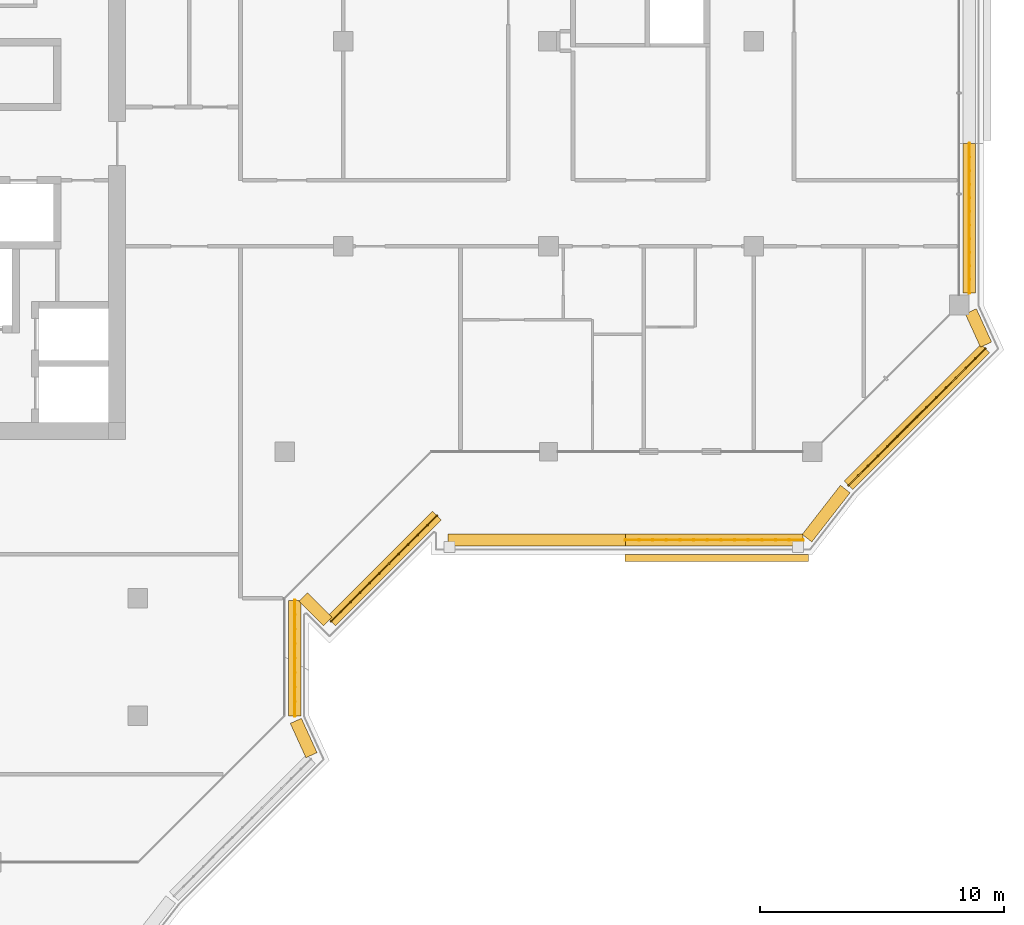
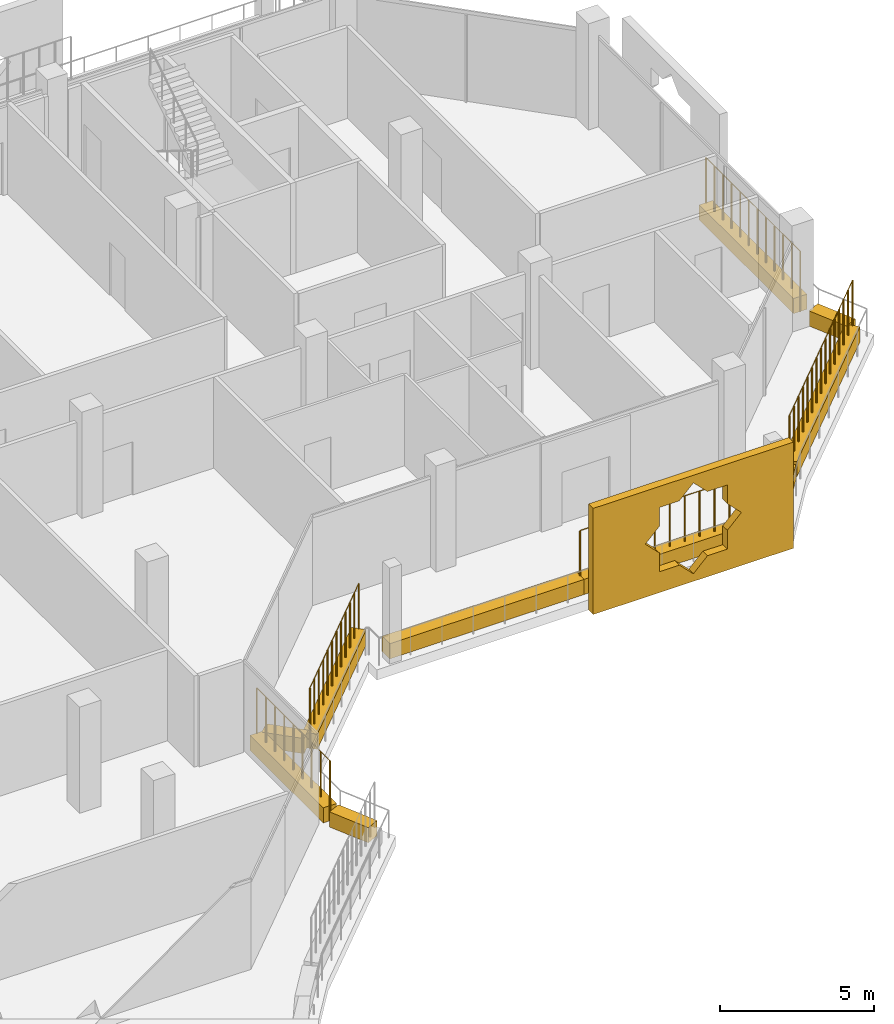
# One storey, part 18 of 21: 11 coverings, 5 railings.
"""IFC4 building model written with IfcOpenShell, lengths in metres."""

from ifc_helpers import new_model, si_unit, direction, frame, origin, origin_2d, place, context, subcontext, project, spatial, polyline, rectangle, circle, outline, extrude, material, material_profile, profile_set, type_object, element, save


model = new_model("IFC4")

# Units and contexts
model_context = context("Model", 3, precision=1e-05, world=origin(), true_north=direction((0.0, 1.0)))
body_context = subcontext(model_context, "Body", "Model", "MODEL_VIEW")
ifc_project = project(units=[si_unit("LENGTHUNIT", "METRE"), si_unit("AREAUNIT", "SQUARE_METRE"), si_unit("VOLUMEUNIT", "CUBIC_METRE"), si_unit("PLANEANGLEUNIT", "RADIAN"), si_unit("MASSUNIT", "GRAM", prefix="KILO")], contexts=[model_context])

# Site, building, storey
site_placement = place(None, origin())
site = spatial("IfcSite", under=ifc_project, at=site_placement, CompositionType="ELEMENT")
building_placement = place(site_placement, origin())
building = spatial("IfcBuilding", under=site, at=building_placement, Name="Kawkab Arch Medical Tower", CompositionType="ELEMENT")
storey_placement = place(building_placement, frame((0.0, 0.0, 315.39990234375)))
storey = spatial("IfcBuildingStorey", under=building, at=storey_placement, Name="L73", CompositionType="ELEMENT", Elevation=315.39990234375)

# Coverings
ifc_material_1 = material(Name="Bronze anodised aluminium mashrabiya panel, eight-point star pattern", Category="aluminium")
ifc_material_profile_1 = material_profile(ifc_material_1, outline(polyline([(-3.75, -2.10009765625), (3.75, -2.10009765625), (3.75, 2.10009765625), (-3.75, 2.10009765625), (-3.75, -2.10009765625)]), holes=[polyline([(1.800048828125, 0.0), (1.272705078125, 0.527099609375), (1.272705078125, 1.272705078125), (0.527099609375, 1.272705078125), (0.0, 1.800048828125), (-0.527099609375, 1.272705078125), (-1.272705078125, 1.272705078125), (-1.272705078125, 0.527099609375), (-1.800048828125, 0.0), (-1.272705078125, -0.527099609375), (-1.272705078125, -1.272705078125), (-0.527099609375, -1.272705078125), (0.0, -1.800048828125), (0.527099609375, -1.272705078125), (1.272705078125, -1.272705078125), (1.272705078125, -0.527099609375), (1.800048828125, 0.0)])]), Name="Mashrabiya panel 7500x4200")
ifc_profile_set_1 = profile_set([ifc_material_profile_1], Name="Bronze anodised aluminium mashrabiya panel, eight-point star pattern")
covering_type_1 = type_object("IfcCoveringType", Name="Mashrabiya panel 7500 x 4200", PredefinedType="USERDEFINED", material=ifc_profile_set_1)
covering_1_placement = place(storey_placement, frame((48.87890625, -29.39990234375, 1.7001953125), z_axis=(0.0, -1.0, 0.0), x_axis=(1.0, 0.0, 0.0)))
element("IfcCovering", 1, at=covering_1_placement, inside=storey, type_object=covering_type_1, Name="Mashrabiya panel L73.LOG-01-01.7", ObjectType="SCREEN", PredefinedType="USERDEFINED", context=body_context, shape_type="SweptSolid", body=[
    extrude(outline(polyline([(-3.75, -2.10009765625), (3.75, -2.10009765625), (3.75, 2.10009765625), (-3.75, 2.10009765625), (-3.75, -2.10009765625)]), holes=[polyline([(1.800048828125, 0.0), (1.272705078125, 0.527099609375), (1.272705078125, 1.272705078125), (0.527099609375, 1.272705078125), (0.0, 1.800048828125), (-0.527099609375, 1.272705078125), (-1.272705078125, 1.272705078125), (-1.272705078125, 0.527099609375), (-1.800048828125, 0.0), (-1.272705078125, -0.527099609375), (-1.272705078125, -1.272705078125), (-0.527099609375, -1.272705078125), (0.0, -1.800048828125), (0.527099609375, -1.272705078125), (1.272705078125, -1.272705078125), (1.272705078125, -0.527099609375), (1.800048828125, 0.0)])]), origin(), (0.0, 0.0, 1.0), 0.300048828125),
])
ifc_material_2 = material(Name="Planting soil in a precast trough", Category="concrete")
ifc_material_profile_2 = material_profile(ifc_material_2, rectangle(XDim=0.5, YDim=0.60009765625, at=origin_2d()), Name="Trough 500x600")
ifc_profile_set_2 = profile_set([ifc_material_profile_2], Name="Planting soil in a precast trough")
covering_type_2 = type_object("IfcCoveringType", Name="Planter trough 500 x 600", PredefinedType="USERDEFINED", material=ifc_profile_set_2)
covering_2_placement = place(storey_placement, frame((59.219970703125, -12.60009765625, 0.300048828125), z_axis=(0.0, -1.0, 0.0), x_axis=(1.0, 0.0, 0.0)))
element("IfcCovering", 2, at=covering_2_placement, inside=storey, type_object=covering_type_2, Name="Planter L73.LOG-01-01.23", ObjectType="PLANTER", PredefinedType="USERDEFINED", context=body_context, shape_type="SweptSolid", body=[
    extrude(rectangle(XDim=0.5, YDim=0.60009765625, at=origin_2d()), origin(), (0.0, 0.0, 1.0), 6.119873046875),
])
covering_3_placement = place(storey_placement, frame((59.280029296875, -19.4580078125, 0.300048828125), z_axis=(0.415189748133, -0.909734836667, 0.0), x_axis=(0.909734836667, 0.415189748133, 0.0)))
element("IfcCovering", 3, at=covering_3_placement, inside=storey, type_object=covering_type_2, Name="Planter L73.LOG-01-01.24", ObjectType="PLANTER", PredefinedType="USERDEFINED", context=body_context, shape_type="SweptSolid", body=[
    extrude(rectangle(XDim=0.5, YDim=0.60009765625, at=origin_2d()), origin(), (0.0, 0.0, 1.0), 1.498291015625),
])
covering_4_placement = place(storey_placement, frame((59.873046875, -20.98291015625, 0.300048828125), z_axis=(-0.707106781187, -0.707106781187, 0.0), x_axis=(0.707106781187, -0.707106781187, 0.0)))
element("IfcCovering", 4, at=covering_4_placement, inside=storey, type_object=covering_type_2, Name="Planter L73.LOG-01-01.25", ObjectType="PLANTER", PredefinedType="USERDEFINED", context=body_context, shape_type="SweptSolid", body=[
    extrude(rectangle(XDim=0.5, YDim=0.60009765625, at=origin_2d()), origin(), (0.0, 0.0, 1.0), 7.919677734375),
])
covering_5_placement = place(storey_placement, frame((54.14111328125, -26.73193359375, 0.300048828125), z_axis=(-0.614099956103, -0.789228258436, 0.0), x_axis=(0.789228258436, -0.614099956103, 0.0)))
element("IfcCovering", 5, at=covering_5_placement, inside=storey, type_object=covering_type_2, Name="Planter L73.LOG-01-01.26", ObjectType="PLANTER", PredefinedType="USERDEFINED", context=body_context, shape_type="SweptSolid", body=[
    extrude(rectangle(XDim=0.5, YDim=0.60009765625, at=origin_2d()), origin(), (0.0, 0.0, 1.0), 2.545654296875),
])
for number, where, z_axis, x_axis, name in (
    (6, (52.416015625, -28.820068359375, 0.300048828125), (-1.0, 0.0, 0.0), (0.0, -1.0, 0.0), "Planter L73.LOG-01-01.27"),
    (7, (45.14794921875, -28.820068359375, 0.300048828125), (-1.0, 0.0, 0.0), (0.0, -1.0, 0.0), "Planter L73.LOG-01-01.28"),
):
    element("IfcCovering", number, at=place(storey_placement, frame(where, z_axis=z_axis, x_axis=x_axis)), inside=storey, type_object=covering_type_2, Name=name, ObjectType="PLANTER", PredefinedType="USERDEFINED", context=body_context, shape_type="SweptSolid", body=[
        extrude(rectangle(XDim=0.5, YDim=0.60009765625, at=origin_2d()), origin(), (0.0, 0.0, 1.0), 7.26806640625),
    ])
covering_6_placement = place(storey_placement, frame((37.43701171875, -27.820068359375, 0.300048828125), z_axis=(-0.707206504313, -0.707007043994, 0.0), x_axis=(0.707007043994, -0.707206504313, 0.0)))
element("IfcCovering", 8, at=covering_6_placement, inside=storey, type_object=covering_type_2, Name="Planter L73.LOG-01-01.29", ObjectType="PLANTER", PredefinedType="USERDEFINED", context=body_context, shape_type="SweptSolid", body=[
    extrude(rectangle(XDim=0.5, YDim=0.60009765625, at=origin_2d()), origin(), (0.0, 0.0, 1.0), 6.1201171875),
])
covering_7_placement = place(storey_placement, frame((32.967041015625, -32.14697265625, 0.300048828125), z_axis=(-0.707192746389, 0.707020805532, 0.0), x_axis=(-0.707020805532, -0.707192746389, 0.0)))
element("IfcCovering", 9, at=covering_7_placement, inside=storey, type_object=covering_type_2, Name="Planter L73.LOG-01-01.30", ObjectType="PLANTER", PredefinedType="USERDEFINED", context=body_context, shape_type="SweptSolid", body=[
    extrude(rectangle(XDim=0.5, YDim=0.60009765625, at=origin_2d()), origin(), (0.0, 0.0, 1.0), 1.419921875),
])
covering_8_placement = place(storey_placement, frame((31.6201171875, -31.284912109375, 0.300048828125), z_axis=(0.0, -1.0, 0.0), x_axis=(1.0, 0.0, 0.0)))
element("IfcCovering", 10, at=covering_8_placement, inside=storey, type_object=covering_type_2, Name="Planter L73.LOG-01-01.31", ObjectType="PLANTER", PredefinedType="USERDEFINED", context=body_context, shape_type="SweptSolid", body=[
    extrude(rectangle(XDim=0.5, YDim=0.60009765625, at=origin_2d()), origin(), (0.0, 0.0, 1.0), 4.740966796875),
])
covering_9_placement = place(storey_placement, frame((31.660888671875, -36.217041015625, 0.300048828125), z_axis=(0.415363486165, -0.909655525109, 0.0), x_axis=(0.909655525109, 0.415363486165, 0.0)))
element("IfcCovering", 11, at=covering_9_placement, inside=storey, type_object=covering_type_2, Name="Planter L73.LOG-01-01.32", ObjectType="PLANTER", PredefinedType="USERDEFINED", context=body_context, shape_type="SweptSolid", body=[
    extrude(rectangle(XDim=0.5, YDim=0.60009765625, at=origin_2d()), origin(), (0.0, 0.0, 1.0), 1.54345703125),
])

# Railings
ifc_material_3 = material(Name="Bronze anodised aluminium trellis for climbing plants", Category="aluminium")
railing_type = type_object("IfcRailingType", Name="Planting trellis 2400", PredefinedType="USERDEFINED", material=ifc_material_3)
railing_1_placement = place(storey_placement, frame((59.219970703125, -12.60009765625, 0.0)))
element("IfcRailing", 12, at=railing_1_placement, inside=storey, type_object=railing_type, Name="Planting trellis L73.LOG-01-01.23", ObjectType="TRELLIS", PredefinedType="USERDEFINED", context=body_context, shape_type="SweptSolid", body=[
    extrude(circle(Radius=0.01513671875, at=origin_2d()), frame((0.0, 0.0, 2.384765625), z_axis=(0.0, -1.0, 0.0), x_axis=(1.0, 0.0, 0.0)), (0.0, 0.0, 1.0), 6.119873046875),
    extrude(circle(Radius=0.030029296875, at=origin_2d()), origin(), (0.0, 0.0, 1.0), 2.369873046875),
    extrude(circle(Radius=0.030029296875, at=origin_2d()), frame((0.0, -0.556396484375, 0.0)), (0.0, 0.0, 1.0), 2.369873046875),
    extrude(circle(Radius=0.030029296875, at=origin_2d()), frame((0.0, -1.11279296875, 0.0)), (0.0, 0.0, 1.0), 2.369873046875),
    extrude(circle(Radius=0.030029296875, at=origin_2d()), frame((0.0, -1.6689453125, 0.0)), (0.0, 0.0, 1.0), 2.369873046875),
    extrude(circle(Radius=0.030029296875, at=origin_2d()), frame((0.0, -2.225341796875, 0.0)), (0.0, 0.0, 1.0), 2.369873046875),
    extrude(circle(Radius=0.030029296875, at=origin_2d()), frame((0.0, -2.78173828125, 0.0)), (0.0, 0.0, 1.0), 2.369873046875),
    extrude(circle(Radius=0.030029296875, at=origin_2d()), frame((0.0, -3.338134765625, 0.0)), (0.0, 0.0, 1.0), 2.369873046875),
    extrude(circle(Radius=0.030029296875, at=origin_2d()), frame((0.0, -3.89453125, 0.0)), (0.0, 0.0, 1.0), 2.369873046875),
    extrude(circle(Radius=0.030029296875, at=origin_2d()), frame((0.0, -4.450927734375, 0.0)), (0.0, 0.0, 1.0), 2.369873046875),
    extrude(circle(Radius=0.030029296875, at=origin_2d()), frame((0.0, -5.007080078125, 0.0)), (0.0, 0.0, 1.0), 2.369873046875),
    extrude(circle(Radius=0.030029296875, at=origin_2d()), frame((0.0, -5.5634765625, 0.0)), (0.0, 0.0, 1.0), 2.369873046875),
    extrude(circle(Radius=0.030029296875, at=origin_2d()), frame((0.0, -6.119873046875, 0.0)), (0.0, 0.0, 1.0), 2.369873046875),
])
railing_2_placement = place(storey_placement, frame((59.873046875, -20.98291015625, 0.0)))
element("IfcRailing", 13, at=railing_2_placement, inside=storey, type_object=railing_type, Name="Planting trellis L73.LOG-01-01.25", ObjectType="TRELLIS", PredefinedType="USERDEFINED", context=body_context, shape_type="SweptSolid", body=[
    extrude(circle(Radius=0.01513671875, at=origin_2d()), frame((0.0, 0.0, 2.384765625), z_axis=(-0.707106781187, -0.707106781187, 0.0), x_axis=(0.707106781187, -0.707106781187, 0.0)), (0.0, 0.0, 1.0), 7.919677734375),
    extrude(circle(Radius=0.030029296875, at=origin_2d()), origin(), (0.0, 0.0, 1.0), 2.369873046875),
    extrude(circle(Radius=0.030029296875, at=origin_2d()), frame((-0.39990234375, -0.39990234375, 0.0)), (0.0, 0.0, 1.0), 2.369873046875),
    extrude(circle(Radius=0.030029296875, at=origin_2d()), frame((-0.800048828125, -0.800048828125, 0.0)), (0.0, 0.0, 1.0), 2.369873046875),
    extrude(circle(Radius=0.030029296875, at=origin_2d()), frame((-1.199951171875, -1.199951171875, 0.0)), (0.0, 0.0, 1.0), 2.369873046875),
    extrude(circle(Radius=0.030029296875, at=origin_2d()), frame((-1.60009765625, -1.60009765625, 0.0)), (0.0, 0.0, 1.0), 2.369873046875),
    extrude(circle(Radius=0.030029296875, at=origin_2d()), frame((-2.0, -2.0, 0.0)), (0.0, 0.0, 1.0), 2.369873046875),
    extrude(circle(Radius=0.030029296875, at=origin_2d()), frame((-2.400146484375, -2.400146484375, 0.0)), (0.0, 0.0, 1.0), 2.369873046875),
    extrude(circle(Radius=0.030029296875, at=origin_2d()), frame((-2.800048828125, -2.800048828125, 0.0)), (0.0, 0.0, 1.0), 2.369873046875),
    extrude(circle(Radius=0.030029296875, at=origin_2d()), frame((-3.199951171875, -3.199951171875, 0.0)), (0.0, 0.0, 1.0), 2.369873046875),
    extrude(circle(Radius=0.030029296875, at=origin_2d()), frame((-3.60009765625, -3.60009765625, 0.0)), (0.0, 0.0, 1.0), 2.369873046875),
    extrude(circle(Radius=0.030029296875, at=origin_2d()), frame((-4.0, -4.0, 0.0)), (0.0, 0.0, 1.0), 2.369873046875),
    extrude(circle(Radius=0.030029296875, at=origin_2d()), frame((-4.400146484375, -4.400146484375, 0.0)), (0.0, 0.0, 1.0), 2.369873046875),
    extrude(circle(Radius=0.030029296875, at=origin_2d()), frame((-4.800048828125, -4.800048828125, 0.0)), (0.0, 0.0, 1.0), 2.369873046875),
    extrude(circle(Radius=0.030029296875, at=origin_2d()), frame((-5.2001953125, -5.2001953125, 0.0)), (0.0, 0.0, 1.0), 2.369873046875),
    extrude(circle(Radius=0.030029296875, at=origin_2d()), frame((-5.60009765625, -5.60009765625, 0.0)), (0.0, 0.0, 1.0), 2.369873046875),
])
railing_3_placement = place(storey_placement, frame((52.416015625, -28.820068359375, 0.0)))
element("IfcRailing", 14, at=railing_3_placement, inside=storey, type_object=railing_type, Name="Planting trellis L73.LOG-01-01.27", ObjectType="TRELLIS", PredefinedType="USERDEFINED", context=body_context, shape_type="SweptSolid", body=[
    extrude(circle(Radius=0.01513671875, at=origin_2d()), frame((0.0, 0.0, 2.384765625), z_axis=(-1.0, 0.0, 0.0), x_axis=(0.0, -1.0, 0.0)), (0.0, 0.0, 1.0), 7.26806640625),
    extrude(circle(Radius=0.030029296875, at=origin_2d()), origin(), (0.0, 0.0, 1.0), 2.369873046875),
    extrude(circle(Radius=0.030029296875, at=origin_2d()), frame((-0.55908203125, 0.0, 0.0)), (0.0, 0.0, 1.0), 2.369873046875),
    extrude(circle(Radius=0.030029296875, at=origin_2d()), frame((-1.1181640625, 0.0, 0.0)), (0.0, 0.0, 1.0), 2.369873046875),
    extrude(circle(Radius=0.030029296875, at=origin_2d()), frame((-1.67724609375, 0.0, 0.0)), (0.0, 0.0, 1.0), 2.369873046875),
    extrude(circle(Radius=0.030029296875, at=origin_2d()), frame((-2.236328125, 0.0, 0.0)), (0.0, 0.0, 1.0), 2.369873046875),
    extrude(circle(Radius=0.030029296875, at=origin_2d()), frame((-2.79541015625, 0.0, 0.0)), (0.0, 0.0, 1.0), 2.369873046875),
    extrude(circle(Radius=0.030029296875, at=origin_2d()), frame((-3.3544921875, 0.0, 0.0)), (0.0, 0.0, 1.0), 2.369873046875),
    extrude(circle(Radius=0.030029296875, at=origin_2d()), frame((-3.91357421875, 0.0, 0.0)), (0.0, 0.0, 1.0), 2.369873046875),
    extrude(circle(Radius=0.030029296875, at=origin_2d()), frame((-4.47265625, 0.0, 0.0)), (0.0, 0.0, 1.0), 2.369873046875),
    extrude(circle(Radius=0.030029296875, at=origin_2d()), frame((-5.03173828125, 0.0, 0.0)), (0.0, 0.0, 1.0), 2.369873046875),
    extrude(circle(Radius=0.030029296875, at=origin_2d()), frame((-5.5908203125, 0.0, 0.0)), (0.0, 0.0, 1.0), 2.369873046875),
    extrude(circle(Radius=0.030029296875, at=origin_2d()), frame((-6.14990234375, 0.0, 0.0)), (0.0, 0.0, 1.0), 2.369873046875),
    extrude(circle(Radius=0.030029296875, at=origin_2d()), frame((-6.708984375, 0.0, 0.0)), (0.0, 0.0, 1.0), 2.369873046875),
    extrude(circle(Radius=0.030029296875, at=origin_2d()), frame((-7.26806640625, 0.0, 0.0)), (0.0, 0.0, 1.0), 2.369873046875),
])
railing_4_placement = place(storey_placement, frame((37.43701171875, -27.820068359375, 0.0)))
element("IfcRailing", 15, at=railing_4_placement, inside=storey, type_object=railing_type, Name="Planting trellis L73.LOG-01-01.29", ObjectType="TRELLIS", PredefinedType="USERDEFINED", context=body_context, shape_type="SweptSolid", body=[
    extrude(circle(Radius=0.01513671875, at=origin_2d()), frame((0.0, 0.0, 2.384765625), z_axis=(-0.707206504313, -0.707007043994, 0.0), x_axis=(0.707007043994, -0.707206504313, 0.0)), (0.0, 0.0, 1.0), 6.1201171875),
    extrude(circle(Radius=0.030029296875, at=origin_2d()), origin(), (0.0, 0.0, 1.0), 2.369873046875),
    extrude(circle(Radius=0.030029296875, at=origin_2d()), frame((-0.3935546875, -0.393310546875, 0.0)), (0.0, 0.0, 1.0), 2.369873046875),
    extrude(circle(Radius=0.030029296875, at=origin_2d()), frame((-0.786865234375, -0.78662109375, 0.0)), (0.0, 0.0, 1.0), 2.369873046875),
    extrude(circle(Radius=0.030029296875, at=origin_2d()), frame((-1.180419921875, -1.18017578125, 0.0)), (0.0, 0.0, 1.0), 2.369873046875),
    extrude(circle(Radius=0.030029296875, at=origin_2d()), frame((-1.573974609375, -1.573486328125, 0.0)), (0.0, 0.0, 1.0), 2.369873046875),
    extrude(circle(Radius=0.030029296875, at=origin_2d()), frame((-1.96728515625, -1.966796875, 0.0)), (0.0, 0.0, 1.0), 2.369873046875),
    extrude(circle(Radius=0.030029296875, at=origin_2d()), frame((-2.36083984375, -2.360107421875, 0.0)), (0.0, 0.0, 1.0), 2.369873046875),
    extrude(circle(Radius=0.030029296875, at=origin_2d()), frame((-2.754150390625, -2.75341796875, 0.0)), (0.0, 0.0, 1.0), 2.369873046875),
    extrude(circle(Radius=0.030029296875, at=origin_2d()), frame((-3.147705078125, -3.146728515625, 0.0)), (0.0, 0.0, 1.0), 2.369873046875),
    extrude(circle(Radius=0.030029296875, at=origin_2d()), frame((-3.541259765625, -3.540283203125, 0.0)), (0.0, 0.0, 1.0), 2.369873046875),
    extrude(circle(Radius=0.030029296875, at=origin_2d()), frame((-3.9345703125, -3.93359375, 0.0)), (0.0, 0.0, 1.0), 2.369873046875),
    extrude(circle(Radius=0.030029296875, at=origin_2d()), frame((-4.328125, -4.326904296875, 0.0)), (0.0, 0.0, 1.0), 2.369873046875),
])
railing_5_placement = place(storey_placement, frame((31.6201171875, -31.284912109375, 0.0)))
element("IfcRailing", 16, at=railing_5_placement, inside=storey, type_object=railing_type, Name="Planting trellis L73.LOG-01-01.31", ObjectType="TRELLIS", PredefinedType="USERDEFINED", context=body_context, shape_type="SweptSolid", body=[
    extrude(circle(Radius=0.01513671875, at=origin_2d()), frame((0.0, 0.0, 2.384765625), z_axis=(0.0, -1.0, 0.0), x_axis=(1.0, 0.0, 0.0)), (0.0, 0.0, 1.0), 4.740966796875),
    extrude(circle(Radius=0.030029296875, at=origin_2d()), origin(), (0.0, 0.0, 1.0), 2.369873046875),
    extrude(circle(Radius=0.030029296875, at=origin_2d()), frame((0.0, -0.592529296875, 0.0)), (0.0, 0.0, 1.0), 2.369873046875),
    extrude(circle(Radius=0.030029296875, at=origin_2d()), frame((0.0, -1.185302734375, 0.0)), (0.0, 0.0, 1.0), 2.369873046875),
    extrude(circle(Radius=0.030029296875, at=origin_2d()), frame((0.0, -1.77783203125, 0.0)), (0.0, 0.0, 1.0), 2.369873046875),
    extrude(circle(Radius=0.030029296875, at=origin_2d()), frame((0.0, -2.37060546875, 0.0)), (0.0, 0.0, 1.0), 2.369873046875),
    extrude(circle(Radius=0.030029296875, at=origin_2d()), frame((0.0, -2.963134765625, 0.0)), (0.0, 0.0, 1.0), 2.369873046875),
    extrude(circle(Radius=0.030029296875, at=origin_2d()), frame((0.0, -3.5556640625, 0.0)), (0.0, 0.0, 1.0), 2.369873046875),
    extrude(circle(Radius=0.030029296875, at=origin_2d()), frame((0.0, -4.1484375, 0.0)), (0.0, 0.0, 1.0), 2.369873046875),
    extrude(circle(Radius=0.030029296875, at=origin_2d()), frame((0.0, -4.740966796875, 0.0)), (0.0, 0.0, 1.0), 2.369873046875),
])

save(model, "model.ifc")
